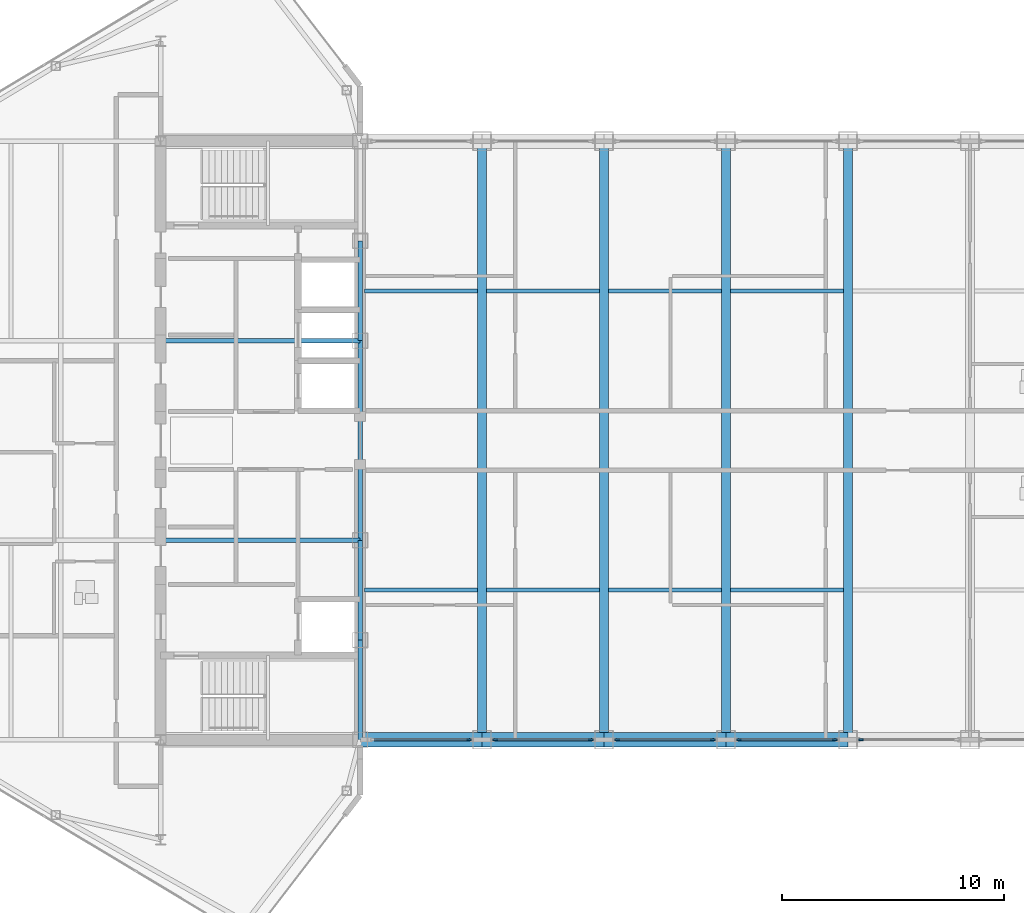
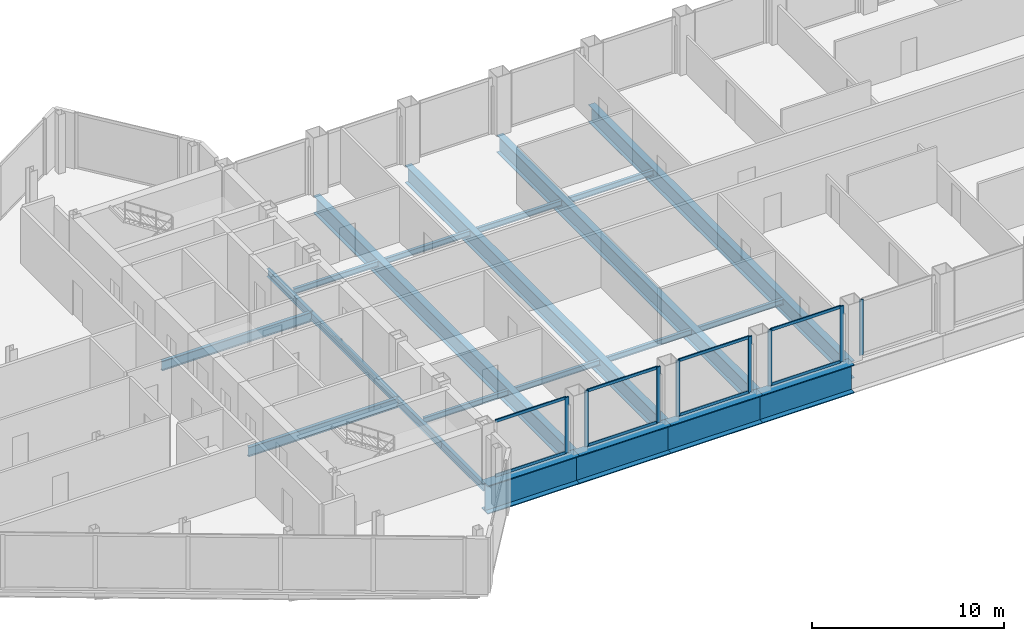
# One storey, part 10 of 29: 22 beams, 16 members, 5 elements without a shape of their own.
"""IFC4 building model written with IfcOpenShell, lengths in metres."""

from ifc_helpers import new_model, si_unit, direction, frame, origin, origin_2d, place, context, subcontext, project, spatial, rectangle, i_section, extrude, source, transform, mapped, material, layer, layer_set, material_profile, profile_set, type_object, type_shapes, element, aggregate, save


model = new_model("IFC4")

# Units and contexts
model_context = context("Model", 3, precision=1e-05, world=origin(), true_north=direction((0.0, 1.0)))
body_context = subcontext(model_context, "Body", "Model", "MODEL_VIEW")
ifc_project = project(units=[si_unit("LENGTHUNIT", "METRE"), si_unit("AREAUNIT", "SQUARE_METRE"), si_unit("VOLUMEUNIT", "CUBIC_METRE"), si_unit("PLANEANGLEUNIT", "RADIAN"), si_unit("MASSUNIT", "GRAM", prefix="KILO")], contexts=[model_context])

# Site, building, storey
site_placement = place(None, origin())
site = spatial("IfcSite", under=ifc_project, at=site_placement, CompositionType="ELEMENT")
building_placement = place(site_placement, origin())
building = spatial("IfcBuilding", under=site, at=building_placement, Name="Seokmaru Belvedere", CompositionType="ELEMENT")
storey_placement = place(building_placement, frame((0.0, 0.0, 239.39990234375)))
storey = spatial("IfcBuildingStorey", under=building, at=storey_placement, Name="L63", CompositionType="ELEMENT", Elevation=239.39990234375)

# Beams
ifc_material_1 = material(Name="Steel SM355 (355 MPa)", Category="steel")
ifc_material_profile_1 = material_profile(ifc_material_1, i_section(OverallWidth=0.199951171875, OverallDepth=0.5, WebThickness=0.010009765625, FlangeThickness=0.01611328125, at=origin_2d()), Name="H-500x200x10x16")
ifc_profile_set_1 = profile_set([ifc_material_profile_1], Name="Steel SM355 (355 MPa)")
beam_type_1 = type_object("IfcBeamType", Name="Perimeter Spandrel Beam H-500", PredefinedType="SPANDREL", material=ifc_profile_set_1)
shared_shape_1 = source(origin(), body_context, "Body", "SweptSolid", [
    extrude(i_section(OverallWidth=0.199951171875, OverallDepth=0.5, WebThickness=0.010009765625, FlangeThickness=0.01611328125, at=origin_2d()), origin(), (0.0, 0.0, 1.0), 4.5),
])
for number, where, z_axis, x_axis, name in (
    (1, (-27.5, -13.5, -0.469970703125), (0.0, 1.0, 0.0), (-1.0, 0.0, 0.0), "L63 W Portal Spine Spandrel 1"),
    (2, (-27.5, -9.0, -0.469970703125), (0.0, 1.0, 0.0), (-1.0, 0.0, 0.0), "L63 W Portal Spine Spandrel 2"),
    (3, (-27.5, 4.5, -0.469970703125), (0.0, 1.0, 0.0), (-1.0, 0.0, 0.0), "L63 W Portal Spine Spandrel 4"),
):
    element("IfcBeam", number, at=place(storey_placement, frame(where, z_axis=z_axis, x_axis=x_axis)), inside=storey, type_object=beam_type_1, Name=name, PredefinedType="SPANDREL", context=body_context, shape_type="MappedRepresentation", body=[
        mapped(shared_shape_1, transform((0.0, 0.0, 0.0), scale=1.0)),
    ])
shared_shape_2 = source(origin(), body_context, "Body", "SweptSolid", [
    extrude(i_section(OverallWidth=0.199951171875, OverallDepth=0.5, WebThickness=0.010009765625, FlangeThickness=0.01611328125, at=origin_2d()), origin(), (0.0, 0.0, 1.0), 9.0),
])
type_shapes(beam_type_1, [shared_shape_1, shared_shape_2])
beam_placement = place(storey_placement, frame((-27.5, -4.5, -0.469970703125), z_axis=(0.0, 1.0, 0.0), x_axis=(-1.0, 0.0, 0.0)))
element("IfcBeam", 4, at=beam_placement, inside=storey, type_object=beam_type_1, Name="L63 W Portal Spine Spandrel 3", PredefinedType="SPANDREL", context=body_context, shape_type="MappedRepresentation", body=[
    mapped(shared_shape_2, transform((0.0, 0.0, 0.0), scale=1.0)),
])
ifc_material_profile_2 = material_profile(ifc_material_1, i_section(OverallWidth=0.199951171875, OverallDepth=0.60009765625, WebThickness=0.010986328125, FlangeThickness=0.01708984375, at=origin_2d()), Name="H-600x200x11x17")
ifc_profile_set_2 = profile_set([ifc_material_profile_2], Name="Steel SM355 (355 MPa)")
beam_type_2 = type_object("IfcBeamType", Name="Primary Floor Girder H-600", PredefinedType="BEAM", material=ifc_profile_set_2)
shared_shape_3 = source(origin(), body_context, "Body", "SweptSolid", [
    extrude(i_section(OverallWidth=0.199951171875, OverallDepth=0.60009765625, WebThickness=0.010986328125, FlangeThickness=0.01708984375, at=origin_2d()), origin(), (0.0, 0.0, 1.0), 9.0),
])
type_shapes(beam_type_2, [shared_shape_3])
for number, where, z_axis, x_axis, name in (
    (5, (-36.5, -4.5, -0.52001953125), (1.0, 0.0, 0.0), (0.0, 1.0, 0.0), "L63 W Core Tie Girder 2"),
    (6, (-36.5, 4.5, -0.52001953125), (1.0, 0.0, 0.0), (0.0, 1.0, 0.0), "L63 W Core Tie Girder 3"),
):
    element("IfcBeam", number, at=place(storey_placement, frame(where, z_axis=z_axis, x_axis=x_axis)), inside=storey, type_object=beam_type_2, Name=name, PredefinedType="BEAM", context=body_context, shape_type="MappedRepresentation", body=[
        mapped(shared_shape_3, transform((0.0, 0.0, 0.0), scale=1.0)),
    ])
ifc_material_profile_3 = material_profile(ifc_material_1, i_section(OverallWidth=0.39990234375, OverallDepth=1.10009765625, WebThickness=0.02001953125, FlangeThickness=0.033935546875, at=origin_2d()), Name="BH-1100x400x20x34")
ifc_profile_set_3 = profile_set([ifc_material_profile_3], Name="Steel SM355 (355 MPa)")
beam_type_3 = type_object("IfcBeamType", Name="Sky-Gate Transverse Girder BH-1100", PredefinedType="BEAM", material=ifc_profile_set_3)
shared_shape_4 = source(origin(), body_context, "Body", "SweptSolid", [
    extrude(i_section(OverallWidth=0.39990234375, OverallDepth=1.10009765625, WebThickness=0.02001953125, FlangeThickness=0.033935546875, at=origin_2d()), origin(), (0.0, 0.0, 1.0), 27.0),
])
type_shapes(beam_type_3, [shared_shape_4])
for number, where, z_axis, x_axis, name in (
    (7, (-22.0, -13.5, -0.77001953125), (0.0, 1.0, 0.0), (-1.0, 0.0, 0.0), "L63 Sky-Gate Transverse Girder 01"),
    (8, (-16.5, -13.5, -0.77001953125), (0.0, 1.0, 0.0), (-1.0, 0.0, 0.0), "L63 Sky-Gate Transverse Girder 02"),
    (9, (-11.0, -13.5, -0.77001953125), (0.0, 1.0, 0.0), (-1.0, 0.0, 0.0), "L63 Sky-Gate Transverse Girder 03"),
    (10, (-5.5, -13.5, -0.77001953125), (0.0, 1.0, 0.0), (-1.0, 0.0, 0.0), "L63 Sky-Gate Transverse Girder 04"),
):
    element("IfcBeam", number, at=place(storey_placement, frame(where, z_axis=z_axis, x_axis=x_axis)), inside=storey, type_object=beam_type_3, Name=name, PredefinedType="BEAM", context=body_context, shape_type="MappedRepresentation", body=[
        mapped(shared_shape_4, transform((0.0, 0.0, 0.0), scale=1.0)),
    ])
ifc_material_profile_4 = material_profile(ifc_material_1, i_section(OverallWidth=0.175048828125, OverallDepth=0.35009765625, WebThickness=0.007080078125, FlangeThickness=0.010986328125, at=origin_2d()), Name="H-350x175x7x11")
ifc_profile_set_4 = profile_set([ifc_material_profile_4], Name="Steel SM355 (355 MPa)")
beam_type_4 = type_object("IfcBeamType", Name="Secondary Floor Joist H-300", PredefinedType="JOIST", material=ifc_profile_set_4)
shared_shape_5 = source(origin(), body_context, "Body", "SweptSolid", [
    extrude(i_section(OverallWidth=0.175048828125, OverallDepth=0.35009765625, WebThickness=0.007080078125, FlangeThickness=0.010986328125, at=origin_2d()), origin(), (0.0, 0.0, 1.0), 5.08984375),
])
type_shapes(beam_type_4, [shared_shape_5])
for number, where, z_axis, x_axis, name in (
    (11, (-27.294921875, -6.75, -0.39501953125), (1.0, 0.0, 0.0), (0.0, 1.0, 0.0), "L63 Sky-Gate Secondary Joist S-01"),
    (12, (-21.794921875, -6.75, -0.39501953125), (1.0, 0.0, 0.0), (0.0, 1.0, 0.0), "L63 Sky-Gate Secondary Joist S-02"),
    (13, (-16.294921875, -6.75, -0.39501953125), (1.0, 0.0, 0.0), (0.0, 1.0, 0.0), "L63 Sky-Gate Secondary Joist S-03"),
    (14, (-10.794921875, -6.75, -0.39501953125), (1.0, 0.0, 0.0), (0.0, 1.0, 0.0), "L63 Sky-Gate Secondary Joist S-04"),
    (15, (-27.294921875, 6.75, -0.39501953125), (1.0, 0.0, 0.0), (0.0, 1.0, 0.0), "L63 Sky-Gate Secondary Joist N-01"),
    (16, (-21.794921875, 6.75, -0.39501953125), (1.0, 0.0, 0.0), (0.0, 1.0, 0.0), "L63 Sky-Gate Secondary Joist N-02"),
    (17, (-16.294921875, 6.75, -0.39501953125), (1.0, 0.0, 0.0), (0.0, 1.0, 0.0), "L63 Sky-Gate Secondary Joist N-03"),
    (18, (-10.794921875, 6.75, -0.39501953125), (1.0, 0.0, 0.0), (0.0, 1.0, 0.0), "L63 Sky-Gate Secondary Joist N-04"),
):
    element("IfcBeam", number, at=place(storey_placement, frame(where, z_axis=z_axis, x_axis=x_axis)), inside=storey, type_object=beam_type_4, Name=name, PredefinedType="JOIST", context=body_context, shape_type="MappedRepresentation", body=[
        mapped(shared_shape_5, transform((0.0, 0.0, 0.0), scale=1.0)),
    ])
ifc_material_2 = material(Name="Steel HSA650 (650 MPa)", Category="steel")
ifc_material_profile_5 = material_profile(ifc_material_2, i_section(OverallWidth=0.64990234375, OverallDepth=1.800048828125, WebThickness=0.031982421875, FlangeThickness=0.054931640625, at=origin_2d()), Name="BH-1800x650x32x55")
ifc_profile_set_5 = profile_set([ifc_material_profile_5], Name="Steel HSA650 (650 MPa)")
beam_type_5 = type_object("IfcBeamType", Name="Sky-Gate Upper Bridge Chord Girder BH-1800", PredefinedType="BEAM", material=ifc_profile_set_5)
shared_shape_6 = source(origin(), body_context, "Body", "SweptSolid", [
    extrude(i_section(OverallWidth=0.64990234375, OverallDepth=1.800048828125, WebThickness=0.031982421875, FlangeThickness=0.054931640625, at=origin_2d()), origin(), (0.0, 0.0, 1.0), 5.5),
])
type_shapes(beam_type_5, [shared_shape_6])
for number, where, z_axis, x_axis, name in (
    (19, (-27.5, -13.5, -1.119873046875), (1.0, 0.0, 0.0), (0.0, 1.0, 0.0), "L63 Sky-Gate Transfer Truss Chord S-02"),
    (20, (-22.0, -13.5, -1.119873046875), (1.0, 0.0, 0.0), (0.0, 1.0, 0.0), "L63 Sky-Gate Transfer Truss Chord S-03"),
    (21, (-16.5, -13.5, -1.119873046875), (1.0, 0.0, 0.0), (0.0, 1.0, 0.0), "L63 Sky-Gate Transfer Truss Chord S-04"),
    (22, (-11.0, -13.5, -1.119873046875), (1.0, 0.0, 0.0), (0.0, 1.0, 0.0), "L63 Sky-Gate Transfer Truss Chord S-05"),
):
    element("IfcBeam", number, at=place(storey_placement, frame(where, z_axis=z_axis, x_axis=x_axis)), inside=storey, type_object=beam_type_5, Name=name, PredefinedType="BEAM", context=body_context, shape_type="MappedRepresentation", body=[
        mapped(shared_shape_6, transform((0.0, 0.0, 0.0), scale=1.0)),
    ])

# Curtain wall, members
ifc_material_3 = material(Name="Bronze Triple Insulating Glass", Category="glass")
ifc_layer = layer(ifc_material_3, 0.219970703125)
ifc_layer_set = layer_set([ifc_layer], Name="Bronze Triple Insulating Glass")
curtain_wall_type = type_object("IfcCurtainWallType", Name="Sky-Gate Bridge Panorama Curtain Wall System CW-6", PredefinedType="NOTDEFINED", material=ifc_layer_set)
curtain_wall_1_placement = place(storey_placement, origin())
curtain_wall_1 = element("IfcCurtainWall", 23, at=curtain_wall_1_placement, inside=storey, type_object=curtain_wall_type, Name="L63 Curtain Wall BR_S01", PredefinedType="NOTDEFINED")
ifc_material_4 = material(Name="Anodised Bronze Aluminium", Category="aluminium")
ifc_material_profile_6 = material_profile(ifc_material_4, rectangle(XDim=0.074951171875, YDim=0.179931640625, at=origin_2d()), Name="CW-T-75x180")
ifc_profile_set_6 = profile_set([ifc_material_profile_6], Name="Anodised Bronze Aluminium")
member_type_1 = type_object("IfcMemberType", Name="Bronze Unitised Transom 75x180", PredefinedType="USERDEFINED", material=ifc_profile_set_6)
shared_shape_7 = source(origin(), body_context, "Body", "SweptSolid", [
    extrude(rectangle(XDim=0.074951171875, YDim=0.179931640625, at=origin_2d()), origin(), (0.0, 0.0, 1.0), 4.240234375),
])
type_shapes(member_type_1, [shared_shape_7])
member_1_placement = place(storey_placement, frame((-26.8701171875, -13.5, 0.03759765625), z_axis=(1.0, 0.0, 0.0), x_axis=(0.0, 1.0, 0.0)))
member_1 = element("IfcMember", 24, at=member_1_placement, type_object=member_type_1, Name="CW:L63:BR_S01 Continuous Transom 1", ObjectType="TRANSOM", PredefinedType="USERDEFINED", context=body_context, shape_type="MappedRepresentation", body=[
    mapped(shared_shape_7, transform((0.0, 0.0, 0.0), scale=1.0)),
])
member_2_placement = place(storey_placement, frame((-26.8701171875, -13.5, 3.49267578125), z_axis=(1.0, 0.0, 0.0), x_axis=(0.0, 1.0, 0.0)))
member_2 = element("IfcMember", 25, at=member_2_placement, type_object=member_type_1, Name="CW:L63:BR_S01 Continuous Transom 2", ObjectType="TRANSOM", PredefinedType="USERDEFINED", context=body_context, shape_type="MappedRepresentation", body=[
    mapped(shared_shape_7, transform((0.0, 0.0, 0.0), scale=1.0)),
])

curtain_wall_2_placement = place(storey_placement, origin())
curtain_wall_2 = element("IfcCurtainWall", 26, at=curtain_wall_2_placement, inside=storey, type_object=curtain_wall_type, Name="L63 Curtain Wall BR_S02", PredefinedType="NOTDEFINED")
member_3_placement = place(storey_placement, frame((-21.3701171875, -13.5, 0.03759765625), z_axis=(1.0, 0.0, 0.0), x_axis=(0.0, 1.0, 0.0)))
member_3 = element("IfcMember", 27, at=member_3_placement, type_object=member_type_1, Name="CW:L63:BR_S02 Continuous Transom 1", ObjectType="TRANSOM", PredefinedType="USERDEFINED", context=body_context, shape_type="MappedRepresentation", body=[
    mapped(shared_shape_7, transform((0.0, 0.0, 0.0), scale=1.0)),
])
member_4_placement = place(storey_placement, frame((-21.3701171875, -13.5, 3.49267578125), z_axis=(1.0, 0.0, 0.0), x_axis=(0.0, 1.0, 0.0)))
member_4 = element("IfcMember", 28, at=member_4_placement, type_object=member_type_1, Name="CW:L63:BR_S02 Continuous Transom 2", ObjectType="TRANSOM", PredefinedType="USERDEFINED", context=body_context, shape_type="MappedRepresentation", body=[
    mapped(shared_shape_7, transform((0.0, 0.0, 0.0), scale=1.0)),
])

curtain_wall_3_placement = place(storey_placement, origin())
curtain_wall_3 = element("IfcCurtainWall", 29, at=curtain_wall_3_placement, inside=storey, type_object=curtain_wall_type, Name="L63 Curtain Wall BR_S03", PredefinedType="NOTDEFINED")
member_5_placement = place(storey_placement, frame((-15.8701171875, -13.5, 0.03759765625), z_axis=(1.0, 0.0, 0.0), x_axis=(0.0, 1.0, 0.0)))
member_5 = element("IfcMember", 30, at=member_5_placement, type_object=member_type_1, Name="CW:L63:BR_S03 Continuous Transom 1", ObjectType="TRANSOM", PredefinedType="USERDEFINED", context=body_context, shape_type="MappedRepresentation", body=[
    mapped(shared_shape_7, transform((0.0, 0.0, 0.0), scale=1.0)),
])
member_6_placement = place(storey_placement, frame((-15.8701171875, -13.5, 3.49267578125), z_axis=(1.0, 0.0, 0.0), x_axis=(0.0, 1.0, 0.0)))
member_6 = element("IfcMember", 31, at=member_6_placement, type_object=member_type_1, Name="CW:L63:BR_S03 Continuous Transom 2", ObjectType="TRANSOM", PredefinedType="USERDEFINED", context=body_context, shape_type="MappedRepresentation", body=[
    mapped(shared_shape_7, transform((0.0, 0.0, 0.0), scale=1.0)),
])

curtain_wall_4_placement = place(storey_placement, origin())
curtain_wall_4 = element("IfcCurtainWall", 32, at=curtain_wall_4_placement, inside=storey, type_object=curtain_wall_type, Name="L63 Curtain Wall BR_S04", PredefinedType="NOTDEFINED")
member_7_placement = place(storey_placement, frame((-10.3701171875, -13.5, 0.03759765625), z_axis=(1.0, 0.0, 0.0), x_axis=(0.0, 1.0, 0.0)))
member_7 = element("IfcMember", 33, at=member_7_placement, type_object=member_type_1, Name="CW:L63:BR_S04 Continuous Transom 1", ObjectType="TRANSOM", PredefinedType="USERDEFINED", context=body_context, shape_type="MappedRepresentation", body=[
    mapped(shared_shape_7, transform((0.0, 0.0, 0.0), scale=1.0)),
])
member_8_placement = place(storey_placement, frame((-10.3701171875, -13.5, 3.49267578125), z_axis=(1.0, 0.0, 0.0), x_axis=(0.0, 1.0, 0.0)))
member_8 = element("IfcMember", 34, at=member_8_placement, type_object=member_type_1, Name="CW:L63:BR_S04 Continuous Transom 2", ObjectType="TRANSOM", PredefinedType="USERDEFINED", context=body_context, shape_type="MappedRepresentation", body=[
    mapped(shared_shape_7, transform((0.0, 0.0, 0.0), scale=1.0)),
])

# Member
ifc_material_profile_7 = material_profile(ifc_material_4, rectangle(XDim=0.080078125, YDim=0.219970703125, at=origin_2d()), Name="CW-M-80x220")
ifc_profile_set_7 = profile_set([ifc_material_profile_7], Name="Anodised Bronze Aluminium")
member_type_2 = type_object("IfcMemberType", Name="Bronze Unitised Mullion 80x220", PredefinedType="MULLION", material=ifc_profile_set_7)
shared_shape_8 = source(origin(), body_context, "Body", "SweptSolid", [
    extrude(rectangle(XDim=0.080078125, YDim=0.219970703125, at=origin_2d()), origin(), (0.0, 0.0, 1.0), 3.530029296875),
])
type_shapes(member_type_2, [shared_shape_8])
member_9_placement = place(storey_placement, frame((-22.590087890625, -13.5, 0.0), z_axis=(0.0, 0.0, 1.0), x_axis=(0.0, 1.0, 0.0)))
member_9 = element("IfcMember", 35, at=member_9_placement, type_object=member_type_2, Name="CW:L63:BR_S01 Mullion 2", PredefinedType="MULLION", context=body_context, shape_type="MappedRepresentation", body=[
    mapped(shared_shape_8, transform((0.0, 0.0, 0.0), scale=1.0)),
])

aggregate(curtain_wall_1, [member_9, member_1, member_2])

member_10_placement = place(storey_placement, frame((-21.409912109375, -13.5, 0.0), z_axis=(0.0, 0.0, 1.0), x_axis=(0.0, 1.0, 0.0)))
member_10 = element("IfcMember", 36, at=member_10_placement, type_object=member_type_2, Name="CW:L63:BR_S02 Mullion 1", PredefinedType="MULLION", context=body_context, shape_type="MappedRepresentation", body=[
    mapped(shared_shape_8, transform((0.0, 0.0, 0.0), scale=1.0)),
])

member_11_placement = place(storey_placement, frame((-17.090087890625, -13.5, 0.0), z_axis=(0.0, 0.0, 1.0), x_axis=(0.0, 1.0, 0.0)))
member_11 = element("IfcMember", 37, at=member_11_placement, type_object=member_type_2, Name="CW:L63:BR_S02 Mullion 2", PredefinedType="MULLION", context=body_context, shape_type="MappedRepresentation", body=[
    mapped(shared_shape_8, transform((0.0, 0.0, 0.0), scale=1.0)),
])

aggregate(curtain_wall_2, [member_10, member_11, member_3, member_4])

member_12_placement = place(storey_placement, frame((-15.909912109375, -13.5, 0.0), z_axis=(0.0, 0.0, 1.0), x_axis=(0.0, 1.0, 0.0)))
member_12 = element("IfcMember", 38, at=member_12_placement, type_object=member_type_2, Name="CW:L63:BR_S03 Mullion 1", PredefinedType="MULLION", context=body_context, shape_type="MappedRepresentation", body=[
    mapped(shared_shape_8, transform((0.0, 0.0, 0.0), scale=1.0)),
])

member_13_placement = place(storey_placement, frame((-11.590087890625, -13.5, 0.0), z_axis=(0.0, 0.0, 1.0), x_axis=(0.0, 1.0, 0.0)))
member_13 = element("IfcMember", 39, at=member_13_placement, type_object=member_type_2, Name="CW:L63:BR_S03 Mullion 2", PredefinedType="MULLION", context=body_context, shape_type="MappedRepresentation", body=[
    mapped(shared_shape_8, transform((0.0, 0.0, 0.0), scale=1.0)),
])

aggregate(curtain_wall_3, [member_12, member_13, member_5, member_6])

member_14_placement = place(storey_placement, frame((-10.409912109375, -13.5, 0.0), z_axis=(0.0, 0.0, 1.0), x_axis=(0.0, 1.0, 0.0)))
member_14 = element("IfcMember", 40, at=member_14_placement, type_object=member_type_2, Name="CW:L63:BR_S04 Mullion 1", PredefinedType="MULLION", context=body_context, shape_type="MappedRepresentation", body=[
    mapped(shared_shape_8, transform((0.0, 0.0, 0.0), scale=1.0)),
])

member_15_placement = place(storey_placement, frame((-6.090087890625, -13.5, 0.0), z_axis=(0.0, 0.0, 1.0), x_axis=(0.0, 1.0, 0.0)))
member_15 = element("IfcMember", 41, at=member_15_placement, type_object=member_type_2, Name="CW:L63:BR_S04 Mullion 2", PredefinedType="MULLION", context=body_context, shape_type="MappedRepresentation", body=[
    mapped(shared_shape_8, transform((0.0, 0.0, 0.0), scale=1.0)),
])

aggregate(curtain_wall_4, [member_14, member_15, member_7, member_8])

# Curtain wall, member
curtain_wall_5_placement = place(storey_placement, origin())
curtain_wall_5 = element("IfcCurtainWall", 42, at=curtain_wall_5_placement, inside=storey, type_object=curtain_wall_type, Name="L63 Curtain Wall BR_S05", PredefinedType="NOTDEFINED")
member_16_placement = place(storey_placement, frame((-4.909912109375, -13.5, 0.0), z_axis=(0.0, 0.0, 1.0), x_axis=(0.0, 1.0, 0.0)))
member_16 = element("IfcMember", 43, at=member_16_placement, type_object=member_type_2, Name="CW:L63:BR_S05 Mullion 1", PredefinedType="MULLION", context=body_context, shape_type="MappedRepresentation", body=[
    mapped(shared_shape_8, transform((0.0, 0.0, 0.0), scale=1.0)),
])
aggregate(curtain_wall_5, [member_16])

save(model, "model.ifc")
